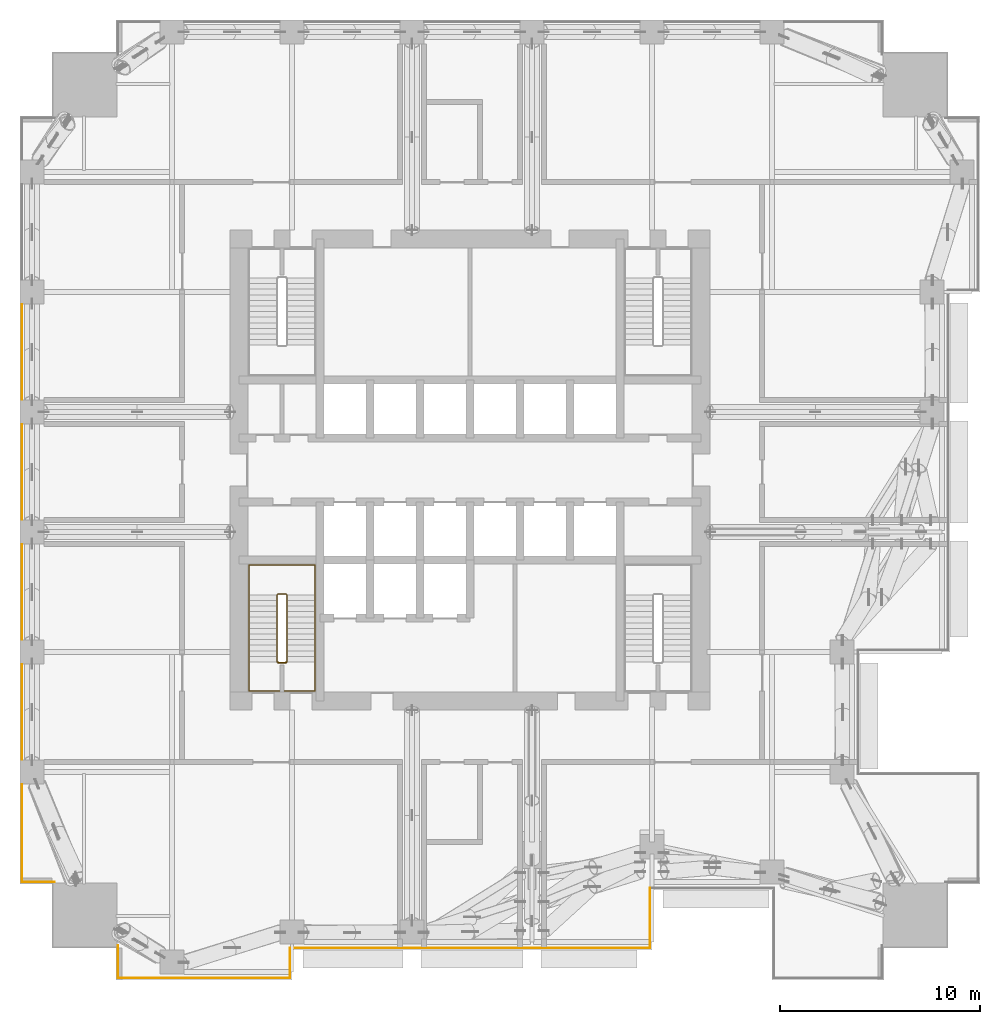
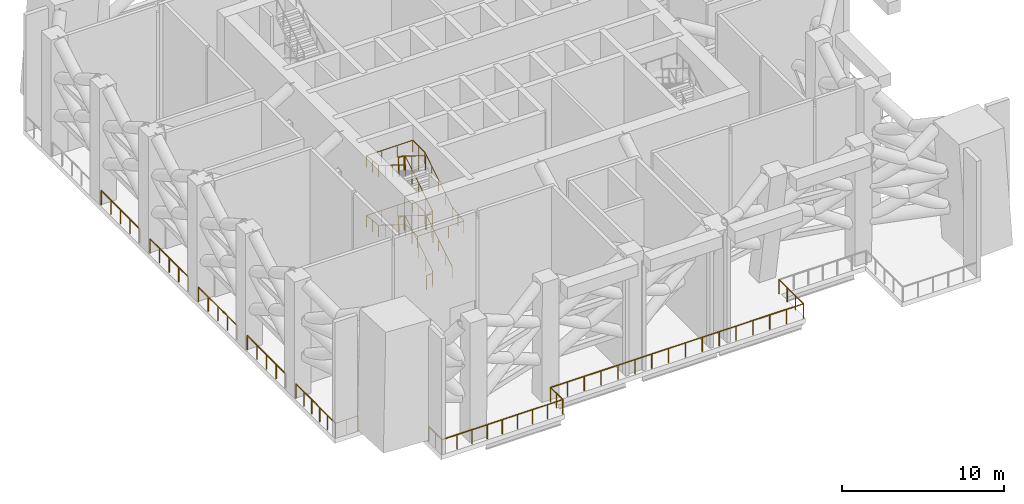
# One storey, part 15 of 18: 13 railings.
"""IFC4 building model written with IfcOpenShell, lengths in metres."""

from ifc_helpers import new_model, si_unit, direction, frame, origin, origin_2d, place, context, subcontext, project, spatial, circle, extrude, material, type_object, element, save


model = new_model("IFC4")

# Units and contexts
model_context = context("Model", 3, precision=1e-05, world=origin(), true_north=direction((0.0, 1.0)))
body_context = subcontext(model_context, "Body", "Model", "MODEL_VIEW")
ifc_project = project(units=[si_unit("LENGTHUNIT", "METRE"), si_unit("AREAUNIT", "SQUARE_METRE"), si_unit("VOLUMEUNIT", "CUBIC_METRE"), si_unit("PLANEANGLEUNIT", "RADIAN"), si_unit("MASSUNIT", "GRAM", prefix="KILO")], contexts=[model_context])

# Site, building, storey
site_placement = place(None, origin())
site = spatial("IfcSite", under=ifc_project, at=site_placement, CompositionType="ELEMENT")
building_placement = place(site_placement, origin())
building = spatial("IfcBuilding", under=site, at=building_placement, Name="Amberfall Residences", CompositionType="ELEMENT")
storey_placement = place(building_placement, frame((0.0, 0.0, 69.699951171875)))
storey = spatial("IfcBuildingStorey", under=building, at=storey_placement, Name="L19", CompositionType="ELEMENT", Elevation=69.699951171875)

# Railings
ifc_material_1 = material(Name="Bronze anodised aluminium and laminated glass", Category="aluminium")
railing_type_1 = type_object("IfcRailingType", Name="Refuge edge guard 1100", PredefinedType="GUARDRAIL", material=ifc_material_1)
railing_1_placement = place(storey_placement, frame((83.5, 24.60009765625, 0.0)))
element("IfcRailing", 1, at=railing_1_placement, inside=storey, type_object=railing_type_1, Name="Refuge edge guard L19 4", PredefinedType="GUARDRAIL", context=body_context, shape_type="SweptSolid", body=[
    extrude(circle(Radius=0.02392578125, at=origin_2d()), frame((0.0, 0.0, 1.076171875), z_axis=(0.0, -1.0, 0.0), x_axis=(1.0, 0.0, 0.0)), (0.0, 0.0, 1.0), 3.0),
    extrude(circle(Radius=0.02099609375, at=origin_2d()), origin(), (0.0, 0.0, 1.0), 1.052001953125),
    extrude(circle(Radius=0.02099609375, at=origin_2d()), frame((0.0, -1.0, 0.0)), (0.0, 0.0, 1.0), 1.052001953125),
    extrude(circle(Radius=0.02099609375, at=origin_2d()), frame((0.0, -2.0, 0.0)), (0.0, 0.0, 1.0), 1.052001953125),
    extrude(circle(Radius=0.02099609375, at=origin_2d()), frame((0.0, -3.0, 0.0)), (0.0, 0.0, 1.0), 1.052001953125),
])
railing_2_placement = place(storey_placement, frame((83.5, 21.60009765625, 0.0)))
element("IfcRailing", 2, at=railing_2_placement, inside=storey, type_object=railing_type_1, Name="Refuge edge guard L19 5", PredefinedType="GUARDRAIL", context=body_context, shape_type="SweptSolid", body=[
    extrude(circle(Radius=0.02392578125, at=origin_2d()), frame((0.0, 0.0, 1.076171875), z_axis=(-1.0, 0.0, 0.0), x_axis=(0.0, -1.0, 0.0)), (0.0, 0.0, 1.0), 18.0),
    extrude(circle(Radius=0.02099609375, at=origin_2d()), origin(), (0.0, 0.0, 1.0), 1.052001953125),
    extrude(circle(Radius=0.02099609375, at=origin_2d()), frame((-1.199951171875, 0.0, 0.0)), (0.0, 0.0, 1.0), 1.052001953125),
    extrude(circle(Radius=0.02099609375, at=origin_2d()), frame((-2.39990234375, 0.0, 0.0)), (0.0, 0.0, 1.0), 1.052001953125),
    extrude(circle(Radius=0.02099609375, at=origin_2d()), frame((-3.60009765625, 0.0, 0.0)), (0.0, 0.0, 1.0), 1.052001953125),
    extrude(circle(Radius=0.02099609375, at=origin_2d()), frame((-4.800048828125, 0.0, 0.0)), (0.0, 0.0, 1.0), 1.052001953125),
    extrude(circle(Radius=0.02099609375, at=origin_2d()), frame((-6.0, 0.0, 0.0)), (0.0, 0.0, 1.0), 1.052001953125),
    extrude(circle(Radius=0.02099609375, at=origin_2d()), frame((-7.199951171875, 0.0, 0.0)), (0.0, 0.0, 1.0), 1.052001953125),
    extrude(circle(Radius=0.02099609375, at=origin_2d()), frame((-8.39990234375, 0.0, 0.0)), (0.0, 0.0, 1.0), 1.052001953125),
    extrude(circle(Radius=0.02099609375, at=origin_2d()), frame((-9.60009765625, 0.0, 0.0)), (0.0, 0.0, 1.0), 1.052001953125),
    extrude(circle(Radius=0.02099609375, at=origin_2d()), frame((-10.800048828125, 0.0, 0.0)), (0.0, 0.0, 1.0), 1.052001953125),
    extrude(circle(Radius=0.02099609375, at=origin_2d()), frame((-12.0, 0.0, 0.0)), (0.0, 0.0, 1.0), 1.052001953125),
    extrude(circle(Radius=0.02099609375, at=origin_2d()), frame((-13.199951171875, 0.0, 0.0)), (0.0, 0.0, 1.0), 1.052001953125),
    extrude(circle(Radius=0.02099609375, at=origin_2d()), frame((-14.39990234375, 0.0, 0.0)), (0.0, 0.0, 1.0), 1.052001953125),
    extrude(circle(Radius=0.02099609375, at=origin_2d()), frame((-15.60009765625, 0.0, 0.0)), (0.0, 0.0, 1.0), 1.052001953125),
    extrude(circle(Radius=0.02099609375, at=origin_2d()), frame((-16.800048828125, 0.0, 0.0)), (0.0, 0.0, 1.0), 1.052001953125),
    extrude(circle(Radius=0.02099609375, at=origin_2d()), frame((-18.0, 0.0, 0.0)), (0.0, 0.0, 1.0), 1.052001953125),
])
railing_3_placement = place(storey_placement, frame((65.5, 21.60009765625, 0.0)))
element("IfcRailing", 3, at=railing_3_placement, inside=storey, type_object=railing_type_1, Name="Refuge edge guard L19 6", PredefinedType="GUARDRAIL", context=body_context, shape_type="SweptSolid", body=[
    extrude(circle(Radius=0.02392578125, at=origin_2d()), frame((0.0, 0.0, 1.076171875), z_axis=(0.0, -1.0, 0.0), x_axis=(1.0, 0.0, 0.0)), (0.0, 0.0, 1.0), 1.5),
    extrude(circle(Radius=0.02099609375, at=origin_2d()), origin(), (0.0, 0.0, 1.0), 1.052001953125),
    extrude(circle(Radius=0.02099609375, at=origin_2d()), frame((0.0, -0.75, 0.0)), (0.0, 0.0, 1.0), 1.052001953125),
    extrude(circle(Radius=0.02099609375, at=origin_2d()), frame((0.0, -1.5, 0.0)), (0.0, 0.0, 1.0), 1.052001953125),
])
railing_4_placement = place(storey_placement, frame((65.5, 20.10009765625, 0.0)))
element("IfcRailing", 4, at=railing_4_placement, inside=storey, type_object=railing_type_1, Name="Refuge edge guard L19 7", PredefinedType="GUARDRAIL", context=body_context, shape_type="SweptSolid", body=[
    extrude(circle(Radius=0.02392578125, at=origin_2d()), frame((0.0, 0.0, 1.076171875), z_axis=(-1.0, 0.0, 0.0), x_axis=(0.0, -1.0, 0.0)), (0.0, 0.0, 1.0), 8.60009765625),
    extrude(circle(Radius=0.02099609375, at=origin_2d()), origin(), (0.0, 0.0, 1.0), 1.052001953125),
    extrude(circle(Radius=0.02099609375, at=origin_2d()), frame((-1.074951171875, 0.0, 0.0)), (0.0, 0.0, 1.0), 1.052001953125),
    extrude(circle(Radius=0.02099609375, at=origin_2d()), frame((-2.14990234375, 0.0, 0.0)), (0.0, 0.0, 1.0), 1.052001953125),
    extrude(circle(Radius=0.02099609375, at=origin_2d()), frame((-3.22509765625, 0.0, 0.0)), (0.0, 0.0, 1.0), 1.052001953125),
    extrude(circle(Radius=0.02099609375, at=origin_2d()), frame((-4.300048828125, 0.0, 0.0)), (0.0, 0.0, 1.0), 1.052001953125),
    extrude(circle(Radius=0.02099609375, at=origin_2d()), frame((-5.375, 0.0, 0.0)), (0.0, 0.0, 1.0), 1.052001953125),
    extrude(circle(Radius=0.02099609375, at=origin_2d()), frame((-6.4501953125, 0.0, 0.0)), (0.0, 0.0, 1.0), 1.052001953125),
    extrude(circle(Radius=0.02099609375, at=origin_2d()), frame((-7.525146484375, 0.0, 0.0)), (0.0, 0.0, 1.0), 1.052001953125),
    extrude(circle(Radius=0.02099609375, at=origin_2d()), frame((-8.60009765625, 0.0, 0.0)), (0.0, 0.0, 1.0), 1.052001953125),
])
railing_5_placement = place(storey_placement, frame((56.89990234375, 20.10009765625, 0.0)))
element("IfcRailing", 5, at=railing_5_placement, inside=storey, type_object=railing_type_1, Name="Refuge edge guard L19 8", PredefinedType="GUARDRAIL", context=body_context, shape_type="SweptSolid", body=[
    extrude(circle(Radius=0.02392578125, at=origin_2d()), frame((0.0, 0.0, 1.076171875), z_axis=(0.0, 1.0, 0.0), x_axis=(-1.0, 0.0, 0.0)), (0.0, 0.0, 1.0), 1.608154296875),
    extrude(circle(Radius=0.02099609375, at=origin_2d()), origin(), (0.0, 0.0, 1.0), 1.052001953125),
    extrude(circle(Radius=0.02099609375, at=origin_2d()), frame((0.0, 0.80419921875, 0.0)), (0.0, 0.0, 1.0), 1.052001953125),
    extrude(circle(Radius=0.02099609375, at=origin_2d()), frame((0.0, 1.608154296875, 0.0)), (0.0, 0.0, 1.0), 1.052001953125),
])
railing_6_placement = place(storey_placement, frame((53.708251953125, 24.89990234375, 0.0)))
element("IfcRailing", 6, at=railing_6_placement, inside=storey, type_object=railing_type_1, Name="Refuge edge guard L19 9", PredefinedType="GUARDRAIL", context=body_context, shape_type="SweptSolid", body=[
    extrude(circle(Radius=0.02392578125, at=origin_2d()), frame((0.0, 0.0, 1.076171875), z_axis=(-1.0, 0.0, 0.0), x_axis=(0.0, -1.0, 0.0)), (0.0, 0.0, 1.0), 1.608154296875),
    extrude(circle(Radius=0.02099609375, at=origin_2d()), origin(), (0.0, 0.0, 1.0), 1.052001953125),
    extrude(circle(Radius=0.02099609375, at=origin_2d()), frame((-0.80419921875, 0.0, 0.0)), (0.0, 0.0, 1.0), 1.052001953125),
    extrude(circle(Radius=0.02099609375, at=origin_2d()), frame((-1.608154296875, 0.0, 0.0)), (0.0, 0.0, 1.0), 1.052001953125),
])
railing_7_placement = place(storey_placement, frame((52.10009765625, 24.89990234375, 0.0)))
element("IfcRailing", 7, at=railing_7_placement, inside=storey, type_object=railing_type_1, Name="Refuge edge guard L19 10", PredefinedType="GUARDRAIL", context=body_context, shape_type="SweptSolid", body=[
    extrude(circle(Radius=0.02392578125, at=origin_2d()), frame((0.0, 0.0, 1.076171875), z_axis=(0.0, 1.0, 0.0), x_axis=(-1.0, 0.0, 0.0)), (0.0, 0.0, 1.0), 4.8701171875),
    extrude(circle(Radius=0.02099609375, at=origin_2d()), origin(), (0.0, 0.0, 1.0), 1.052001953125),
    extrude(circle(Radius=0.02099609375, at=origin_2d()), frame((0.0, 0.97412109375, 0.0)), (0.0, 0.0, 1.0), 1.052001953125),
    extrude(circle(Radius=0.02099609375, at=origin_2d()), frame((0.0, 1.947998046875, 0.0)), (0.0, 0.0, 1.0), 1.052001953125),
    extrude(circle(Radius=0.02099609375, at=origin_2d()), frame((0.0, 2.922119140625, 0.0)), (0.0, 0.0, 1.0), 1.052001953125),
    extrude(circle(Radius=0.02099609375, at=origin_2d()), frame((0.0, 3.89599609375, 0.0)), (0.0, 0.0, 1.0), 1.052001953125),
    extrude(circle(Radius=0.02099609375, at=origin_2d()), frame((0.0, 4.8701171875, 0.0)), (0.0, 0.0, 1.0), 1.052001953125),
])
for number, where, name in (
    (8, (52.10009765625, 31.030029296875, 0.0), "Refuge edge guard L19 11"),
    (9, (52.10009765625, 37.030029296875, 0.0), "Refuge edge guard L19 12"),
    (10, (52.10009765625, 43.030029296875, 0.0), "Refuge edge guard L19 13"),
    (11, (52.10009765625, 49.030029296875, 0.0), "Refuge edge guard L19 14"),
):
    element("IfcRailing", number, at=place(storey_placement, frame(where)), inside=storey, type_object=railing_type_1, Name=name, PredefinedType="GUARDRAIL", context=body_context, shape_type="SweptSolid", body=[
        extrude(circle(Radius=0.02392578125, at=origin_2d()), frame((0.0, 0.0, 1.076171875), z_axis=(0.0, 1.0, 0.0), x_axis=(-1.0, 0.0, 0.0)), (0.0, 0.0, 1.0), 4.739990234375),
        extrude(circle(Radius=0.02099609375, at=origin_2d()), origin(), (0.0, 0.0, 1.0), 1.052001953125),
        extrude(circle(Radius=0.02099609375, at=origin_2d()), frame((0.0, 1.18505859375, 0.0)), (0.0, 0.0, 1.0), 1.052001953125),
        extrude(circle(Radius=0.02099609375, at=origin_2d()), frame((0.0, 2.3701171875, 0.0)), (0.0, 0.0, 1.0), 1.052001953125),
        extrude(circle(Radius=0.02099609375, at=origin_2d()), frame((0.0, 3.554931640625, 0.0)), (0.0, 0.0, 1.0), 1.052001953125),
        extrude(circle(Radius=0.02099609375, at=origin_2d()), frame((0.0, 4.739990234375, 0.0)), (0.0, 0.0, 1.0), 1.052001953125),
    ])
ifc_material_2 = material(Name="Stainless steel 316", Category="steel")
railing_type_2 = type_object("IfcRailingType", Name="Stair guard 1100", PredefinedType="GUARDRAIL", material=ifc_material_2)
railing_8_placement = place(storey_placement, frame((64.89990234375, 35.85009765625, 0.0)))
element("IfcRailing", 12, at=railing_8_placement, inside=storey, type_object=railing_type_2, Name="L19 stair 1 guard", PredefinedType="GUARDRAIL", context=body_context, shape_type="SweptSolid", body=[
    extrude(circle(Radius=0.02392578125, at=origin_2d()), frame((0.0, 0.0, 1.076171875), z_axis=(1.0, 0.0, 0.0), x_axis=(0.0, 1.0, 0.0)), (0.0, 0.0, 1.0), 0.400146484375),
    extrude(circle(Radius=0.02392578125, at=origin_2d()), frame((0.400146484375, 0.0, 1.076171875), z_axis=(0.267723051232, 0.266417085129, 0.925929967433), x_axis=(-0.705375805398, 0.708833529934, 0.0)), (0.0, 0.0, 1.0), 0.18701171875),
    extrude(circle(Radius=0.02392578125, at=origin_2d()), frame((0.4501953125, 0.0498046875, 1.2490234375), z_axis=(0.0, 0.850623216509, 0.525775754039), x_axis=(-1.0, 0.0, 0.0)), (0.0, 0.0, 1.0), 3.9501953125),
    extrude(circle(Radius=0.02392578125, at=origin_2d()), frame((0.4501953125, 3.409912109375, 3.326171875), z_axis=(-0.707106781187, 0.707106781187, 0.0), x_axis=(-0.707106781187, -0.707106781187, 0.0)), (0.0, 0.0, 1.0), 0.07080078125),
    extrude(circle(Radius=0.02392578125, at=origin_2d()), frame((0.400146484375, 3.4599609375, 3.326171875), z_axis=(-1.0, 0.0, 0.0), x_axis=(0.0, -1.0, 0.0)), (0.0, 0.0, 1.0), 0.400146484375),
    extrude(circle(Radius=0.02392578125, at=origin_2d()), frame((0.0, 3.4599609375, 3.326171875), z_axis=(-0.266417085129, -0.267723051232, 0.925929967433), x_axis=(0.708833529934, -0.705375805398, 0.0)), (0.0, 0.0, 1.0), 0.18701171875),
    extrude(circle(Radius=0.02392578125, at=origin_2d()), frame((-0.0498046875, 3.409912109375, 3.4990234375), z_axis=(0.0, -0.850623216509, 0.525775754039), x_axis=(1.0, 0.0, 0.0)), (0.0, 0.0, 1.0), 3.9501953125),
    extrude(circle(Radius=0.02392578125, at=origin_2d()), frame((-0.0498046875, 0.0498046875, 5.576171875), z_axis=(0.993929686101, -0.110017176324, 0.0), x_axis=(0.110017176324, 0.993929686101, 0.0)), (0.0, 0.0, 1.0), 0.45263671875),
    extrude(circle(Radius=0.02392578125, at=origin_2d()), frame((0.400146484375, 0.0, 5.576171875), z_axis=(-1.0, 0.0, 0.0), x_axis=(0.0, -1.0, 0.0)), (0.0, 0.0, 1.0), 0.400146484375),
    extrude(circle(Radius=0.02392578125, at=origin_2d()), frame((0.0, 0.0, 5.576171875), z_axis=(0.928448063868, 0.102713343291, 0.356979217615), x_axis=(-0.109958235639, 0.993936208423, 0.0)), (0.0, 0.0, 1.0), 0.48486328125),
    extrude(circle(Radius=0.02392578125, at=origin_2d()), frame((0.4501953125, 0.0498046875, 5.7490234375), z_axis=(0.0, 0.850623216509, 0.525775754039), x_axis=(-1.0, 0.0, 0.0)), (0.0, 0.0, 1.0), 3.9501953125),
    extrude(circle(Radius=0.02392578125, at=origin_2d()), frame((0.4501953125, 3.409912109375, 7.826171875), z_axis=(-0.707106781187, 0.707106781187, 0.0), x_axis=(-0.707106781187, -0.707106781187, 0.0)), (0.0, 0.0, 1.0), 0.07080078125),
    extrude(circle(Radius=0.02392578125, at=origin_2d()), frame((0.400146484375, 3.4599609375, 7.826171875), z_axis=(-1.0, 0.0, 0.0), x_axis=(0.0, -1.0, 0.0)), (0.0, 0.0, 1.0), 0.400146484375),
    extrude(circle(Radius=0.02392578125, at=origin_2d()), frame((0.0, 3.4599609375, 7.826171875), z_axis=(-0.266417085129, -0.267723051232, 0.925929967433), x_axis=(0.708833529934, -0.705375805398, 0.0)), (0.0, 0.0, 1.0), 0.18701171875),
    extrude(circle(Radius=0.02392578125, at=origin_2d()), frame((-0.0498046875, 3.409912109375, 7.9990234375), z_axis=(0.0, -0.850623216509, 0.525775754039), x_axis=(1.0, 0.0, 0.0)), (0.0, 0.0, 1.0), 3.9501953125),
    extrude(circle(Radius=0.02099609375, at=origin_2d()), origin(), (0.0, 0.0, 1.0), 1.052001953125),
    extrude(circle(Radius=0.02099609375, at=origin_2d()), frame((0.400146484375, 0.0, 0.0)), (0.0, 0.0, 1.0), 1.052001953125),
    extrude(circle(Radius=0.02099609375, at=origin_2d()), frame((0.4501953125, 0.0498046875, 0.173095703125)), (0.0, 0.0, 1.0), 1.052001953125),
    extrude(circle(Radius=0.02099609375, at=origin_2d()), frame((0.4501953125, 0.889892578125, 0.6923828125)), (0.0, 0.0, 1.0), 1.052001953125),
    extrude(circle(Radius=0.02099609375, at=origin_2d()), frame((0.4501953125, 1.72998046875, 1.21142578125)), (0.0, 0.0, 1.0), 1.052001953125),
    extrude(circle(Radius=0.02099609375, at=origin_2d()), frame((0.4501953125, 2.56982421875, 1.730712890625)), (0.0, 0.0, 1.0), 1.052001953125),
    extrude(circle(Radius=0.02099609375, at=origin_2d()), frame((0.4501953125, 3.409912109375, 2.25)), (0.0, 0.0, 1.0), 1.052001953125),
    extrude(circle(Radius=0.02099609375, at=origin_2d()), frame((0.400146484375, 3.4599609375, 2.25)), (0.0, 0.0, 1.0), 1.052001953125),
    extrude(circle(Radius=0.02099609375, at=origin_2d()), frame((0.0, 3.4599609375, 2.25)), (0.0, 0.0, 1.0), 1.052001953125),
    extrude(circle(Radius=0.02099609375, at=origin_2d()), frame((-0.0498046875, 3.409912109375, 2.423095703125)), (0.0, 0.0, 1.0), 1.052001953125),
    extrude(circle(Radius=0.02099609375, at=origin_2d()), frame((-0.0498046875, 2.56982421875, 2.9423828125)), (0.0, 0.0, 1.0), 1.052001953125),
    extrude(circle(Radius=0.02099609375, at=origin_2d()), frame((-0.0498046875, 1.72998046875, 3.46142578125)), (0.0, 0.0, 1.0), 1.052001953125),
    extrude(circle(Radius=0.02099609375, at=origin_2d()), frame((-0.0498046875, 0.889892578125, 3.980712890625)), (0.0, 0.0, 1.0), 1.052001953125),
    extrude(circle(Radius=0.02099609375, at=origin_2d()), frame((-0.0498046875, 0.0498046875, 4.5)), (0.0, 0.0, 1.0), 1.052001953125),
    extrude(circle(Radius=0.02099609375, at=origin_2d()), frame((0.400146484375, 0.0, 4.5)), (0.0, 0.0, 1.0), 1.052001953125),
    extrude(circle(Radius=0.02099609375, at=origin_2d()), frame((0.0, 0.0, 4.5)), (0.0, 0.0, 1.0), 1.052001953125),
    extrude(circle(Radius=0.02099609375, at=origin_2d()), frame((0.4501953125, 0.0498046875, 4.673095703125)), (0.0, 0.0, 1.0), 1.052001953125),
    extrude(circle(Radius=0.02099609375, at=origin_2d()), frame((0.4501953125, 0.889892578125, 5.1923828125)), (0.0, 0.0, 1.0), 1.052001953125),
    extrude(circle(Radius=0.02099609375, at=origin_2d()), frame((0.4501953125, 1.72998046875, 5.71142578125)), (0.0, 0.0, 1.0), 1.052001953125),
    extrude(circle(Radius=0.02099609375, at=origin_2d()), frame((0.4501953125, 2.56982421875, 6.230712890625)), (0.0, 0.0, 1.0), 1.052001953125),
    extrude(circle(Radius=0.02099609375, at=origin_2d()), frame((0.4501953125, 3.409912109375, 6.75)), (0.0, 0.0, 1.0), 1.052001953125),
    extrude(circle(Radius=0.02099609375, at=origin_2d()), frame((0.400146484375, 3.4599609375, 6.75)), (0.0, 0.0, 1.0), 1.052001953125),
    extrude(circle(Radius=0.02099609375, at=origin_2d()), frame((0.0, 3.4599609375, 6.75)), (0.0, 0.0, 1.0), 1.052001953125),
    extrude(circle(Radius=0.02099609375, at=origin_2d()), frame((-0.0498046875, 3.409912109375, 6.923095703125)), (0.0, 0.0, 1.0), 1.052001953125),
    extrude(circle(Radius=0.02099609375, at=origin_2d()), frame((-0.0498046875, 2.56982421875, 7.4423828125)), (0.0, 0.0, 1.0), 1.052001953125),
    extrude(circle(Radius=0.02099609375, at=origin_2d()), frame((-0.0498046875, 1.72998046875, 7.96142578125)), (0.0, 0.0, 1.0), 1.052001953125),
    extrude(circle(Radius=0.02099609375, at=origin_2d()), frame((-0.0498046875, 0.889892578125, 8.480712890625)), (0.0, 0.0, 1.0), 1.052001953125),
    extrude(circle(Radius=0.02099609375, at=origin_2d()), frame((-0.0498046875, 0.0498046875, 9.0)), (0.0, 0.0, 1.0), 1.052001953125),
])
railing_type_3 = type_object("IfcRailingType", Name="Stair handrail 900", PredefinedType="HANDRAIL", material=ifc_material_2)
railing_9_placement = place(storey_placement, frame((66.75, 35.89990234375, 0.173095703125)))
element("IfcRailing", 13, at=railing_9_placement, inside=storey, type_object=railing_type_3, Name="L19 stair 1 handrail", PredefinedType="HANDRAIL", context=body_context, shape_type="SweptSolid", body=[
    extrude(circle(Radius=0.02392578125, at=origin_2d()), frame((0.0, 0.0, 0.8759765625), z_axis=(0.0, 0.850623216509, 0.525775754039), x_axis=(-1.0, 0.0, 0.0)), (0.0, 0.0, 1.0), 3.9501953125),
    extrude(circle(Radius=0.02392578125, at=origin_2d()), frame((0.0, 3.360107421875, 2.95263671875), z_axis=(0.0, 1.0, 0.0), x_axis=(-1.0, 0.0, 0.0)), (0.0, 0.0, 1.0), 1.489990234375),
    extrude(circle(Radius=0.02392578125, at=origin_2d()), frame((0.0, 4.85009765625, 2.95263671875), z_axis=(-1.0, 0.0, 0.0), x_axis=(0.0, -1.0, 0.0)), (0.0, 0.0, 1.0), 3.300048828125),
    extrude(circle(Radius=0.02392578125, at=origin_2d()), frame((-3.300048828125, 4.85009765625, 2.95263671875), z_axis=(0.0, -0.993319533971, 0.115396288642), x_axis=(1.0, 0.0, 0.0)), (0.0, 0.0, 1.0), 1.5),
    extrude(circle(Radius=0.02392578125, at=origin_2d()), frame((-3.300048828125, 3.360107421875, 3.1259765625), z_axis=(0.0, -0.850623216509, 0.525775754039), x_axis=(1.0, 0.0, 0.0)), (0.0, 0.0, 1.0), 3.9501953125),
    extrude(circle(Radius=0.02392578125, at=origin_2d()), frame((-3.300048828125, 0.0, 5.20263671875), z_axis=(0.0, -1.0, 0.0), x_axis=(1.0, 0.0, 0.0)), (0.0, 0.0, 1.0), 1.449951171875),
    extrude(circle(Radius=0.02392578125, at=origin_2d()), frame((-3.300048828125, -1.449951171875, 5.20263671875), z_axis=(1.0, 0.0, 0.0), x_axis=(0.0, 1.0, 0.0)), (0.0, 0.0, 1.0), 3.300048828125),
    extrude(circle(Radius=0.02392578125, at=origin_2d()), frame((0.0, -1.449951171875, 5.20263671875), z_axis=(0.0, 0.992949436845, 0.118538668248), x_axis=(-1.0, 0.0, 0.0)), (0.0, 0.0, 1.0), 1.460205078125),
    extrude(circle(Radius=0.02392578125, at=origin_2d()), frame((0.0, 0.0, 5.3759765625), z_axis=(0.0, 0.850623216509, 0.525775754039), x_axis=(-1.0, 0.0, 0.0)), (0.0, 0.0, 1.0), 3.9501953125),
    extrude(circle(Radius=0.02392578125, at=origin_2d()), frame((0.0, 3.360107421875, 7.45263671875), z_axis=(0.0, 1.0, 0.0), x_axis=(-1.0, 0.0, 0.0)), (0.0, 0.0, 1.0), 1.489990234375),
    extrude(circle(Radius=0.02392578125, at=origin_2d()), frame((0.0, 4.85009765625, 7.45263671875), z_axis=(-1.0, 0.0, 0.0), x_axis=(0.0, -1.0, 0.0)), (0.0, 0.0, 1.0), 3.300048828125),
    extrude(circle(Radius=0.02392578125, at=origin_2d()), frame((-3.300048828125, 4.85009765625, 7.45263671875), z_axis=(0.0, -0.993319533971, 0.115396288642), x_axis=(1.0, 0.0, 0.0)), (0.0, 0.0, 1.0), 1.5),
    extrude(circle(Radius=0.02392578125, at=origin_2d()), frame((-3.300048828125, 3.360107421875, 7.6259765625), z_axis=(0.0, -0.850623216509, 0.525775754039), x_axis=(1.0, 0.0, 0.0)), (0.0, 0.0, 1.0), 3.9501953125),
    extrude(circle(Radius=0.02099609375, at=origin_2d()), origin(), (0.0, 0.0, 1.0), 0.851806640625),
    extrude(circle(Radius=0.02099609375, at=origin_2d()), frame((0.0, 0.840087890625, 0.519287109375)), (0.0, 0.0, 1.0), 0.851806640625),
    extrude(circle(Radius=0.02099609375, at=origin_2d()), frame((0.0, 1.68017578125, 1.03857421875)), (0.0, 0.0, 1.0), 0.851806640625),
    extrude(circle(Radius=0.02099609375, at=origin_2d()), frame((0.0, 2.52001953125, 1.5576171875)), (0.0, 0.0, 1.0), 0.851806640625),
    extrude(circle(Radius=0.02099609375, at=origin_2d()), frame((0.0, 3.360107421875, 2.076904296875)), (0.0, 0.0, 1.0), 0.851806640625),
    extrude(circle(Radius=0.02099609375, at=origin_2d()), frame((0.0, 4.10498046875, 2.076904296875)), (0.0, 0.0, 1.0), 0.851806640625),
    extrude(circle(Radius=0.02099609375, at=origin_2d()), frame((0.0, 4.85009765625, 2.076904296875)), (0.0, 0.0, 1.0), 0.851806640625),
    extrude(circle(Radius=0.02099609375, at=origin_2d()), frame((-1.10009765625, 4.85009765625, 2.076904296875)), (0.0, 0.0, 1.0), 0.851806640625),
    extrude(circle(Radius=0.02099609375, at=origin_2d()), frame((-2.199951171875, 4.85009765625, 2.076904296875)), (0.0, 0.0, 1.0), 0.851806640625),
    extrude(circle(Radius=0.02099609375, at=origin_2d()), frame((-3.300048828125, 4.85009765625, 2.076904296875)), (0.0, 0.0, 1.0), 0.851806640625),
    extrude(circle(Radius=0.02099609375, at=origin_2d()), frame((-3.300048828125, 4.10498046875, 2.16357421875)), (0.0, 0.0, 1.0), 0.851806640625),
    extrude(circle(Radius=0.02099609375, at=origin_2d()), frame((-3.300048828125, 3.360107421875, 2.25)), (0.0, 0.0, 1.0), 0.851806640625),
    extrude(circle(Radius=0.02099609375, at=origin_2d()), frame((-3.300048828125, 2.52001953125, 2.769287109375)), (0.0, 0.0, 1.0), 0.851806640625),
    extrude(circle(Radius=0.02099609375, at=origin_2d()), frame((-3.300048828125, 1.68017578125, 3.28857421875)), (0.0, 0.0, 1.0), 0.851806640625),
    extrude(circle(Radius=0.02099609375, at=origin_2d()), frame((-3.300048828125, 0.840087890625, 3.8076171875)), (0.0, 0.0, 1.0), 0.851806640625),
    extrude(circle(Radius=0.02099609375, at=origin_2d()), frame((-3.300048828125, 0.0, 4.326904296875)), (0.0, 0.0, 1.0), 0.851806640625),
    extrude(circle(Radius=0.02099609375, at=origin_2d()), frame((-3.300048828125, -0.72509765625, 4.326904296875)), (0.0, 0.0, 1.0), 0.851806640625),
    extrude(circle(Radius=0.02099609375, at=origin_2d()), frame((-3.300048828125, -1.449951171875, 4.326904296875)), (0.0, 0.0, 1.0), 0.851806640625),
    extrude(circle(Radius=0.02099609375, at=origin_2d()), frame((-2.199951171875, -1.449951171875, 4.326904296875)), (0.0, 0.0, 1.0), 0.851806640625),
    extrude(circle(Radius=0.02099609375, at=origin_2d()), frame((-1.10009765625, -1.449951171875, 4.326904296875)), (0.0, 0.0, 1.0), 0.851806640625),
    extrude(circle(Radius=0.02099609375, at=origin_2d()), frame((0.0, -1.449951171875, 4.326904296875)), (0.0, 0.0, 1.0), 0.851806640625),
    extrude(circle(Radius=0.02099609375, at=origin_2d()), frame((0.0, -0.72509765625, 4.41357421875)), (0.0, 0.0, 1.0), 0.851806640625),
    extrude(circle(Radius=0.02099609375, at=origin_2d()), frame((0.0, 0.0, 4.5)), (0.0, 0.0, 1.0), 0.851806640625),
    extrude(circle(Radius=0.02099609375, at=origin_2d()), frame((0.0, 0.840087890625, 5.019287109375)), (0.0, 0.0, 1.0), 0.851806640625),
    extrude(circle(Radius=0.02099609375, at=origin_2d()), frame((0.0, 1.68017578125, 5.53857421875)), (0.0, 0.0, 1.0), 0.851806640625),
    extrude(circle(Radius=0.02099609375, at=origin_2d()), frame((0.0, 2.52001953125, 6.0576171875)), (0.0, 0.0, 1.0), 0.851806640625),
    extrude(circle(Radius=0.02099609375, at=origin_2d()), frame((0.0, 3.360107421875, 6.576904296875)), (0.0, 0.0, 1.0), 0.851806640625),
    extrude(circle(Radius=0.02099609375, at=origin_2d()), frame((0.0, 4.10498046875, 6.576904296875)), (0.0, 0.0, 1.0), 0.851806640625),
    extrude(circle(Radius=0.02099609375, at=origin_2d()), frame((0.0, 4.85009765625, 6.576904296875)), (0.0, 0.0, 1.0), 0.851806640625),
    extrude(circle(Radius=0.02099609375, at=origin_2d()), frame((-1.10009765625, 4.85009765625, 6.576904296875)), (0.0, 0.0, 1.0), 0.851806640625),
    extrude(circle(Radius=0.02099609375, at=origin_2d()), frame((-2.199951171875, 4.85009765625, 6.576904296875)), (0.0, 0.0, 1.0), 0.851806640625),
    extrude(circle(Radius=0.02099609375, at=origin_2d()), frame((-3.300048828125, 4.85009765625, 6.576904296875)), (0.0, 0.0, 1.0), 0.851806640625),
    extrude(circle(Radius=0.02099609375, at=origin_2d()), frame((-3.300048828125, 4.10498046875, 6.66357421875)), (0.0, 0.0, 1.0), 0.851806640625),
    extrude(circle(Radius=0.02099609375, at=origin_2d()), frame((-3.300048828125, 3.360107421875, 6.75)), (0.0, 0.0, 1.0), 0.851806640625),
    extrude(circle(Radius=0.02099609375, at=origin_2d()), frame((-3.300048828125, 2.52001953125, 7.269287109375)), (0.0, 0.0, 1.0), 0.851806640625),
    extrude(circle(Radius=0.02099609375, at=origin_2d()), frame((-3.300048828125, 1.68017578125, 7.78857421875)), (0.0, 0.0, 1.0), 0.851806640625),
    extrude(circle(Radius=0.02099609375, at=origin_2d()), frame((-3.300048828125, 0.840087890625, 8.3076171875)), (0.0, 0.0, 1.0), 0.851806640625),
    extrude(circle(Radius=0.02099609375, at=origin_2d()), frame((-3.300048828125, 0.0, 8.826904296875)), (0.0, 0.0, 1.0), 0.851806640625),
])

save(model, "model.ifc")
